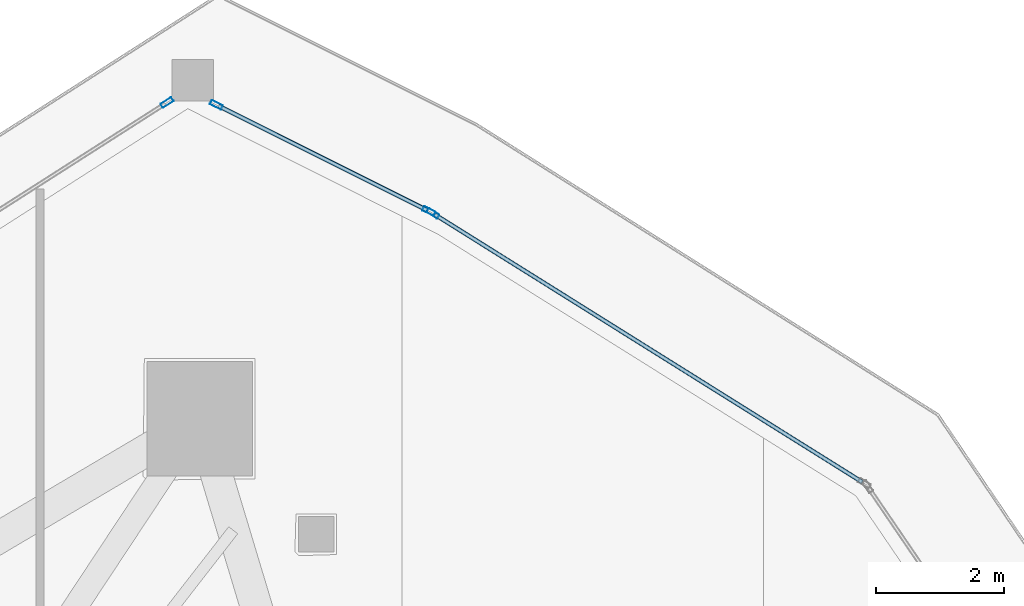
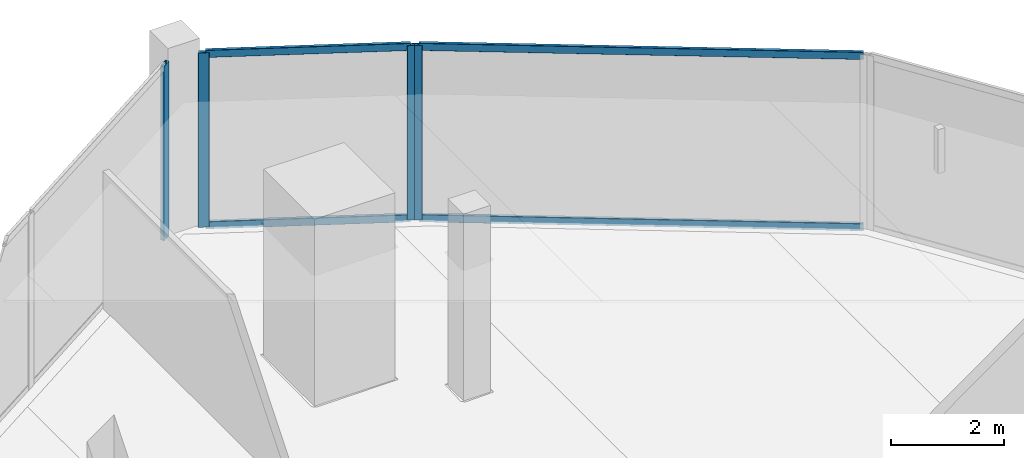
# One storey, part 23 of 36: 8 members, 3 elements without a shape of their own.
"""IFC4 building model written with IfcOpenShell, lengths in metres."""

from ifc_helpers import new_model, si_unit, direction, frame, origin, origin_2d, place, context, subcontext, project, spatial, hollow_rectangle, extrude, material, layer, layer_set, material_profile, profile_set, type_object, element, aggregate, save


model = new_model("IFC4")

# Units and contexts
model_context = context("Model", 3, precision=1e-05, world=origin(), true_north=direction((0.0, 1.0)))
body_context = subcontext(model_context, "Body", "Model", "MODEL_VIEW")
ifc_project = project(units=[si_unit("LENGTHUNIT", "METRE"), si_unit("AREAUNIT", "SQUARE_METRE"), si_unit("VOLUMEUNIT", "CUBIC_METRE"), si_unit("PLANEANGLEUNIT", "RADIAN"), si_unit("MASSUNIT", "GRAM", prefix="KILO")], contexts=[model_context])

# Site, building, storey
site_placement = place(None, origin())
site = spatial("IfcSite", under=ifc_project, at=site_placement, CompositionType="ELEMENT")
building_placement = place(site_placement, origin())
building = spatial("IfcBuilding", under=site, at=building_placement, Name="Qorvath Tower", CompositionType="ELEMENT")
storey_placement = place(building_placement, frame((0.0, 0.0, 229.35009765625)))
storey = spatial("IfcBuildingStorey", under=building, at=storey_placement, Name="L53", CompositionType="ELEMENT", Elevation=229.35009765625)

# Curtain wall, member
ifc_material_1 = material(Name="Anodised aluminium and triple low-E glass", Category="aluminium")
ifc_layer = layer(ifc_material_1, 0.179931640625)
ifc_layer_set = layer_set([ifc_layer], Name="CW-SYS-5")
curtain_wall_type = type_object("IfcCurtainWallType", Name="CW-SYS-5", PredefinedType="NOTDEFINED", material=ifc_layer_set)
curtain_wall_1_placement = place(storey_placement, origin())
curtain_wall_1 = element("IfcCurtainWall", 1, at=curtain_wall_1_placement, inside=storey, type_object=curtain_wall_type, Name="Curtain Wall CW-5 CW-T-L53-16.1", PredefinedType="NOTDEFINED")
ifc_material_2 = material(Name="Anodised aluminium 6063-T6", Category="aluminium")
ifc_material_profile_1 = material_profile(ifc_material_2, hollow_rectangle(XDim=0.074951171875, YDim=0.199951171875, WallThickness=0.00390625, InnerFilletRadius=0.00390625, OuterFilletRadius=0.008056640625, at=origin_2d()), Name="CWM 200x75")
ifc_profile_set_1 = profile_set([ifc_material_profile_1], Name="Anodised aluminium 6063-T6")
member_type_1 = type_object("IfcMemberType", Name="CWM-200", PredefinedType="MULLION", material=ifc_profile_set_1)
member_1_placement = place(storey_placement, frame((-13.21826171875, 24.84228515625, 0.0), z_axis=(0.0, 0.0, 1.0), x_axis=(-0.530545314822, -0.84765657487, 0.0)))
member_1 = element("IfcMember", 2, at=member_1_placement, type_object=member_type_1, Name="CW-5 mullion 2", PredefinedType="MULLION", context=body_context, shape_type="SweptSolid", body=[
    extrude(hollow_rectangle(XDim=0.074951171875, YDim=0.199951171875, WallThickness=0.00390625, InnerFilletRadius=0.00390625, OuterFilletRadius=0.008056640625, at=origin_2d()), origin(), (0.0, 0.0, 1.0), 3.77978515625),
])

# Curtain wall, members
curtain_wall_2_placement = place(storey_placement, origin())
curtain_wall_2 = element("IfcCurtainWall", 3, at=curtain_wall_2_placement, inside=storey, type_object=curtain_wall_type, Name="Curtain Wall CW-5 CW-T-L53-17.1", PredefinedType="NOTDEFINED")
member_2_placement = place(storey_placement, frame((-13.283447265625, 24.879150390625, 0.0), z_axis=(0.0, 0.0, 1.0), x_axis=(-0.447213595499, -0.894427191001, 0.0)))
member_2 = element("IfcMember", 4, at=member_2_placement, type_object=member_type_1, Name="CW-5 mullion 1", PredefinedType="MULLION", context=body_context, shape_type="SweptSolid", body=[
    extrude(hollow_rectangle(XDim=0.074951171875, YDim=0.199951171875, WallThickness=0.00390625, InnerFilletRadius=0.00390625, OuterFilletRadius=0.008056640625, at=origin_2d()), origin(), (0.0, 0.0, 1.0), 3.77978515625),
])
member_3_placement = place(storey_placement, frame((-16.610107421875, 26.542236328125, 0.0), z_axis=(0.0, 0.0, 1.0), x_axis=(-0.447213595499, -0.894427191001, 0.0)))
member_3 = element("IfcMember", 5, at=member_3_placement, type_object=member_type_1, Name="CW-5 mullion 2", PredefinedType="MULLION", context=body_context, shape_type="SweptSolid", body=[
    extrude(hollow_rectangle(XDim=0.074951171875, YDim=0.199951171875, WallThickness=0.00390625, InnerFilletRadius=0.00390625, OuterFilletRadius=0.008056640625, at=origin_2d()), origin(), (0.0, 0.0, 1.0), 3.77978515625),
])

# Curtain wall, member
curtain_wall_3_placement = place(storey_placement, origin())
curtain_wall_3 = element("IfcCurtainWall", 6, at=curtain_wall_3_placement, inside=storey, type_object=curtain_wall_type, Name="Curtain Wall CW-5 CW-T-L53-18.1", PredefinedType="NOTDEFINED")
member_4_placement = place(storey_placement, frame((-17.3828125, 26.578125, 0.0), z_axis=(0.0, 0.0, 1.0), x_axis=(0.538531098636, -0.842605634803, 0.0)))
member_4 = element("IfcMember", 7, at=member_4_placement, type_object=member_type_1, Name="CW-5 mullion 1", PredefinedType="MULLION", context=body_context, shape_type="SweptSolid", body=[
    extrude(hollow_rectangle(XDim=0.074951171875, YDim=0.199951171875, WallThickness=0.00390625, InnerFilletRadius=0.00390625, OuterFilletRadius=0.008056640625, at=origin_2d()), origin(), (0.0, 0.0, 1.0), 3.77978515625),
])
aggregate(curtain_wall_3, [member_4])

# Member
ifc_material_3 = material(Name="Anodised aluminium 6063-T6", Category="aluminium")
ifc_material_profile_2 = material_profile(ifc_material_3, hollow_rectangle(XDim=0.06494140625, YDim=0.159912109375, WallThickness=0.00341796875, InnerFilletRadius=0.00341796875, OuterFilletRadius=0.007080078125, at=origin_2d()), Name="CWT 160x65")
ifc_profile_set_2 = profile_set([ifc_material_profile_2], Name="Anodised aluminium 6063-T6")
member_type_2 = type_object("IfcMemberType", Name="CWT-160", PredefinedType="USERDEFINED", material=ifc_profile_set_2)
member_5_placement = place(storey_placement, frame((-6.49560546875, 20.634765625, 0.032470703125), z_axis=(-0.847661032835, 0.530538192229, 0.0), x_axis=(-0.530538192229, -0.847661032835, 0.0)))
member_5 = element("IfcMember", 8, at=member_5_placement, type_object=member_type_2, Name="CW-5 transom 1.1", ObjectType="TRANSOM", PredefinedType="USERDEFINED", context=body_context, shape_type="SweptSolid", body=[
    extrude(hollow_rectangle(XDim=0.06494140625, YDim=0.159912109375, WallThickness=0.00341796875, InnerFilletRadius=0.00341796875, OuterFilletRadius=0.007080078125, at=origin_2d()), origin(), (0.0, 0.0, 1.0), 7.893310546875),
])

member_6_placement = place(storey_placement, frame((-6.49560546875, 20.634765625, 3.747314453125), z_axis=(-0.847661032835, 0.530538192229, 0.0), x_axis=(-0.530538192229, -0.847661032835, 0.0)))
member_6 = element("IfcMember", 9, at=member_6_placement, type_object=member_type_2, Name="CW-5 transom 1.2", ObjectType="TRANSOM", PredefinedType="USERDEFINED", context=body_context, shape_type="SweptSolid", body=[
    extrude(hollow_rectangle(XDim=0.06494140625, YDim=0.159912109375, WallThickness=0.00341796875, InnerFilletRadius=0.00341796875, OuterFilletRadius=0.007080078125, at=origin_2d()), origin(), (0.0, 0.0, 1.0), 7.893310546875),
])

aggregate(curtain_wall_1, [member_1, member_5, member_6])

member_7_placement = place(storey_placement, frame((-13.317138671875, 24.895751953125, 0.032470703125), z_axis=(-0.89440039088, 0.447267191724, 0.0), x_axis=(-0.447267191724, -0.89440039088, 0.0)))
member_7 = element("IfcMember", 10, at=member_7_placement, type_object=member_type_2, Name="CW-5 transom 1.1", ObjectType="TRANSOM", PredefinedType="USERDEFINED", context=body_context, shape_type="SweptSolid", body=[
    extrude(hollow_rectangle(XDim=0.06494140625, YDim=0.159912109375, WallThickness=0.00341796875, InnerFilletRadius=0.00341796875, OuterFilletRadius=0.007080078125, at=origin_2d()), origin(), (0.0, 0.0, 1.0), 3.64404296875),
])

member_8_placement = place(storey_placement, frame((-13.317138671875, 24.895751953125, 3.747314453125), z_axis=(-0.89440039088, 0.447267191724, 0.0), x_axis=(-0.447267191724, -0.89440039088, 0.0)))
member_8 = element("IfcMember", 11, at=member_8_placement, type_object=member_type_2, Name="CW-5 transom 1.2", ObjectType="TRANSOM", PredefinedType="USERDEFINED", context=body_context, shape_type="SweptSolid", body=[
    extrude(hollow_rectangle(XDim=0.06494140625, YDim=0.159912109375, WallThickness=0.00341796875, InnerFilletRadius=0.00341796875, OuterFilletRadius=0.007080078125, at=origin_2d()), origin(), (0.0, 0.0, 1.0), 3.64404296875),
])

aggregate(curtain_wall_2, [member_2, member_3, member_7, member_8])

save(model, "model.ifc")
